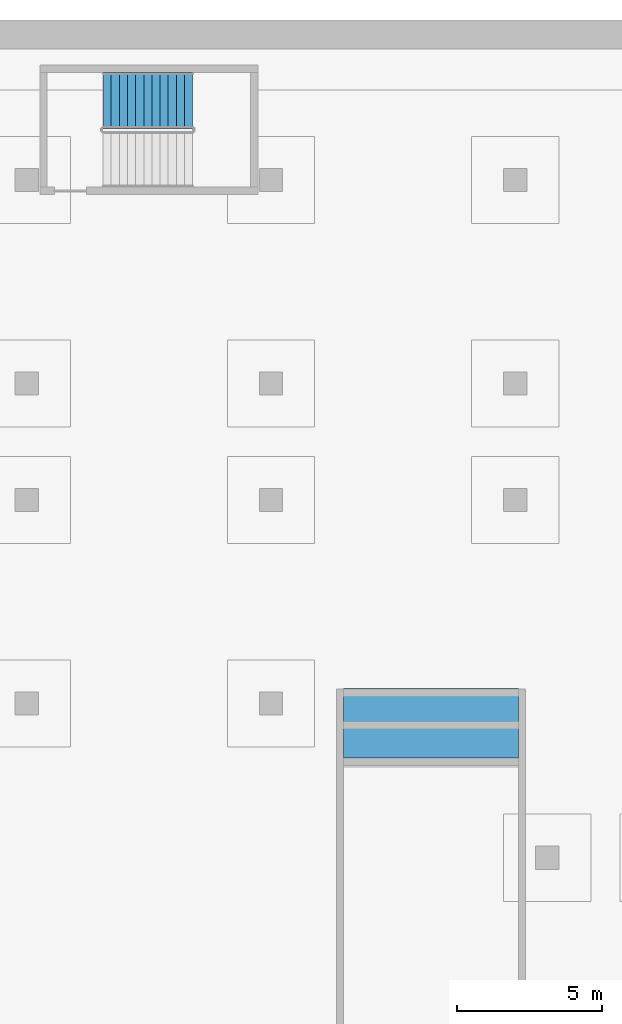
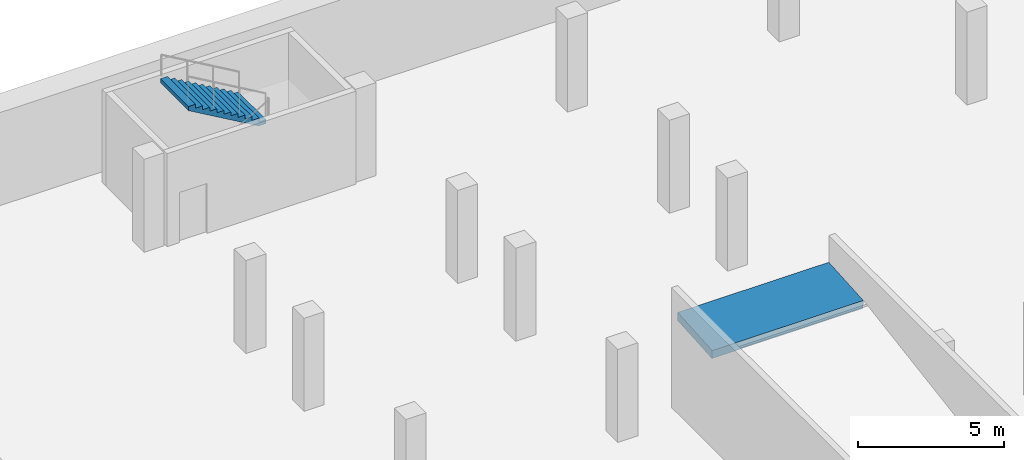
# One storey, part 19 of 27: 1 ramp flight, 1 stair flight, 2 elements without a shape of their own.
"""IFC4 building model written with IfcOpenShell, lengths in metres."""

import ifcopenshell
import ifcopenshell.guid

model = None  # the IFC model being written
_history = None  # IfcOwnerHistory: only IFC2X3 demands one
_inside = {}  # id of a spatial element -> (the spatial element, [elements in it])
_under = {}  # id of a project, library or spatial element -> (it, [spatial elements below it])
_declared = {}  # id of a project -> (the project, [libraries it declares])
_typed = {}  # id of a type object -> (the type object, [elements of that type])
_made_of = {}  # id of a material, layer set ... -> (it, [elements and type objects made of it])


def new_model(schema):
    """Start an empty IFC model of exactly this schema.

    Asked for "IFC4X3", IfcOpenShell would pick the latest addendum, in which some entities
    have other attributes; the version numbers below select the first issue.
    IFC2X3 requires an IfcOwnerHistory on every rooted entity: one is made here for all.
    """
    global model, _history
    if schema == "IFC4X3":
        model = ifcopenshell.file(schema_version=(4, 3, 0, 0))
    else:
        model = ifcopenshell.file(schema=schema)
    _inside.clear()
    _under.clear()
    _declared.clear()
    _typed.clear()
    _made_of.clear()
    _history = None
    if model.schema == "IFC2X3":
        org = make("IfcOrganization", Name="unknown")
        user = make(
            "IfcPersonAndOrganization",
            ThePerson=make("IfcPerson", FamilyName="unknown"),
            TheOrganization=org,
        )
        app = make(
            "IfcApplication",
            ApplicationDeveloper=org,
            Version="unknown",
            ApplicationFullName="unknown",
            ApplicationIdentifier="unknown",
        )
        _history = make(
            "IfcOwnerHistory",
            OwningUser=user,
            OwningApplication=app,
            ChangeAction="ADDED",
            CreationDate=0,
        )
    return model


def make(cls, **values):
    """One entity of the class cls with the attributes given. An attribute that is None is left unset."""
    return model.create_entity(
        cls, **{name: value for name, value in values.items() if value is not None}
    )


def rooted(cls, **values):
    """An entity with a GlobalId (a new one), such as an element, a storey or a relation."""
    return make(cls, GlobalId=ifcopenshell.guid.new(), OwnerHistory=_history, **values)


def si_unit(unit_type, name, prefix=None):
    """IfcSIUnit, for example si_unit("LENGTHUNIT", "METRE", prefix="MILLI")."""
    return make("IfcSIUnit", UnitType=unit_type, Prefix=prefix, Name=name)


def assignment(units):
    """IfcUnitAssignment: the units of a project."""
    return None if units is None else make("IfcUnitAssignment", Units=units)


def point(xyz):
    """IfcCartesianPoint."""
    return None if xyz is None else make("IfcCartesianPoint", Coordinates=xyz)


def direction(xyz):
    """IfcDirection."""
    return None if xyz is None else make("IfcDirection", DirectionRatios=xyz)


def frame(location, z_axis=None, x_axis=None):
    """IfcAxis2Placement3D, a coordinate frame: its origin and axes. An axis left out is left unset."""
    return make(
        "IfcAxis2Placement3D",
        Location=point(location),
        Axis=direction(z_axis),
        RefDirection=direction(x_axis),
    )


def origin():
    """The frame at (0, 0, 0) with its axes left unset."""
    return frame((0.0, 0.0, 0.0))


def place(relative_to, where):
    """IfcLocalPlacement: puts the frame where relative to a parent placement (None: the world)."""
    return make(
        "IfcLocalPlacement", PlacementRelTo=relative_to, RelativePlacement=where
    )


def context(
    kind, dimensions, precision=None, world=None, true_north=None, identifier=None
):
    """IfcGeometricRepresentationContext, for example the 3D "Model" context."""
    return make(
        "IfcGeometricRepresentationContext",
        ContextIdentifier=identifier,
        ContextType=kind,
        CoordinateSpaceDimension=dimensions,
        Precision=precision,
        WorldCoordinateSystem=world,
        TrueNorth=true_north,
    )


def subcontext(parent, identifier, kind, view, scale=None):
    """IfcGeometricRepresentationSubContext, for example "Body" below "Model"."""
    return make(
        "IfcGeometricRepresentationSubContext",
        ContextIdentifier=identifier,
        ContextType=kind,
        ParentContext=parent,
        TargetScale=scale,
        TargetView=view,
    )


def project(units=None, contexts=None):
    """IfcProject with its units and contexts."""
    return rooted(
        "IfcProject",
        Name="project",
        RepresentationContexts=contexts,
        UnitsInContext=assignment(units),
    )


def spatial(cls, under=None, at=None, **own):
    """A site, building, storey or space (cls), placed at a placement, below another one or the project."""
    s = rooted(cls, ObjectPlacement=at, **own)
    if under is not None:
        _under.setdefault(under.id(), (under, []))[1].append(s)
    return s


def point_list(points):
    """IfcCartesianPointList2D or 3D."""
    cls = (
        "IfcCartesianPointList2D" if len(points[0]) == 2 else "IfcCartesianPointList3D"
    )
    return make(cls, CoordList=points)


def triangles(points, corners, closed=None, point_numbers=None):
    """IfcTriangulatedFaceSet: each triangle names its three corners, points numbered from 1."""
    return make(
        "IfcTriangulatedFaceSet",
        Coordinates=point_list(points),
        Closed=closed,
        CoordIndex=corners,
        PnIndex=point_numbers,
    )


def shape(context_of_items, identifier, shape_type, items):
    """IfcShapeRepresentation: the items that make up one representation, for example the "Body"."""
    return make(
        "IfcShapeRepresentation",
        ContextOfItems=context_of_items,
        RepresentationIdentifier=identifier,
        RepresentationType=shape_type,
        Items=items,
    )


def material(Name=None, Category=None):
    """IfcMaterial."""
    return make("IfcMaterial", Name=Name, Category=Category)


def layer(
    of_material, thickness, ventilated=None, Name=None, Category=None, Priority=None
):
    """IfcMaterialLayer: one layer of a wall or slab, of a material (None: an air gap)."""
    return make(
        "IfcMaterialLayer",
        Material=of_material,
        LayerThickness=thickness,
        IsVentilated=ventilated,
        Name=Name,
        Category=Category,
        Priority=Priority,
    )


def layer_set(layers, Name=None):
    """IfcMaterialLayerSet."""
    return make("IfcMaterialLayerSet", MaterialLayers=layers, LayerSetName=Name)


def made_of(thing, what):
    """Note that an element or type object is made of a material, layer set ...; save() writes the relation."""
    if what is not None:
        _made_of.setdefault(what.id(), (what, []))[1].append(thing)
    return thing


def type_object(cls, material=None, **own):
    """A type object (cls), such as IfcWallType, which elements share."""
    return made_of(rooted(cls, **own), material)


def element(
    cls,
    number,
    at=None,
    inside=None,
    cuts=None,
    type_object=None,
    material=None,
    context=None,
    identifier="Body",
    shape_type=None,
    held_by="IfcProductDefinitionShape",
    body=None,
    shapes=None,
    **own,
):
    """One element of the class cls, such as IfcWall. Its Tag is "e" and its number.

    at: its placement. inside: the storey or other place that contains it. cuts: it is an
    opening in that element (IfcRelVoidsElement). A single representation is given by context,
    identifier, shape_type and body (its items); several are given by shapes. held_by: the class
    of the entity that holds the representations. save() writes the other relations.
    """
    e = rooted(cls, Tag="e%d" % number, ObjectPlacement=at, **own)
    if body is not None:
        shapes = [shape(context, identifier, shape_type, body)]
    if shapes is not None:
        e.Representation = make(held_by, Representations=shapes)
    if inside is not None:
        _inside.setdefault(inside.id(), (inside, []))[1].append(e)
    if cuts is not None:
        rooted(
            "IfcRelVoidsElement", RelatingBuildingElement=cuts, RelatedOpeningElement=e
        )
    if type_object is not None:
        _typed.setdefault(type_object.id(), (type_object, []))[1].append(e)
    return made_of(e, material)


def aggregate(whole, parts):
    """IfcRelAggregates: a whole, such as a stair, and the parts it consists of."""
    return rooted("IfcRelAggregates", RelatingObject=whole, RelatedObjects=parts)


def save(model, path):
    """Write the relations noted so far, then the file.

    IfcRelAggregates (storeys below a building ...), IfcRelContainedInSpatialStructure (elements
    in a storey), IfcRelDefinesByType, IfcRelAssociatesMaterial and IfcRelDeclares: one each for
    every whole, place, type object, material and project.
    """
    for whole, parts in _under.values():
        aggregate(whole, parts)
    for where, things in _inside.values():
        rooted(
            "IfcRelContainedInSpatialStructure",
            RelatedElements=things,
            RelatingStructure=where,
        )
    for kind, things in _typed.values():
        rooted("IfcRelDefinesByType", RelatedObjects=things, RelatingType=kind)
    for what, things in _made_of.values():
        rooted("IfcRelAssociatesMaterial", RelatedObjects=things, RelatingMaterial=what)
    for by, libraries in _declared.values():
        rooted("IfcRelDeclares", RelatingContext=by, RelatedDefinitions=libraries)
    model.write(path)


model = new_model("IFC4")

# Units and contexts
model_context = context("Model", 3, precision=1e-05, world=origin(), true_north=direction((0.0, 1.0)))
body_context = subcontext(model_context, "Body", "Model", "MODEL_VIEW")
ifc_project = project(units=[si_unit("LENGTHUNIT", "METRE"), si_unit("AREAUNIT", "SQUARE_METRE"), si_unit("VOLUMEUNIT", "CUBIC_METRE"), si_unit("PLANEANGLEUNIT", "RADIAN"), si_unit("MASSUNIT", "GRAM", prefix="KILO")], contexts=[model_context])

# Site, building, storey
site_placement = place(None, origin())
site = spatial("IfcSite", under=ifc_project, at=site_placement, CompositionType="ELEMENT")
building_placement = place(site_placement, origin())
building = spatial("IfcBuilding", under=site, at=building_placement, Name="Verdalira Terraces Hotel", CompositionType="ELEMENT")
storey_placement = place(building_placement, frame((0.0, 0.0, -11.699951)))
storey = spatial("IfcBuildingStorey", under=building, at=storey_placement, Name="B3", CompositionType="ELEMENT", Elevation=-11.699951171875)

# Stair, stair flight
ifc_material_1 = material(Name="Concrete C40", Category="concrete")
stair_type = type_object("IfcStairType", Name="Car park stair 24 risers", PredefinedType="HALF_TURN_STAIR", material=ifc_material_1)
stair_placement = place(storey_placement, origin())
stair = element("IfcStair", 1, at=stair_placement, inside=storey, type_object=stair_type, Name="B3 Exit stair Basement stair 3", PredefinedType="HALF_TURN_STAIR")
ifc_material_2 = material(Name="Concrete C40", Category="concrete")
stair_flight_type = type_object("IfcStairFlightType", Name="Car park stair flight 24 risers", PredefinedType="STRAIGHT", material=ifc_material_2)
stair_flight_placement = place(storey_placement, frame((25.304932, 51.237549, 1.949951), z_axis=(0.0, 0.0, 1.0), x_axis=(-1.0, 0.0, 0.0)))
stair_flight = element("IfcStairFlight", 2, at=stair_flight_placement, type_object=stair_flight_type, Name="Basement stair 3 flight 2", NumberOfRisers=12, NumberOfTreads=11, PredefinedType="STRAIGHT", RiserHeight=0.1625, TreadLength=0.28, context=body_context, shape_type="Tessellation", body=[
    triangles([(0.0, 0.962524, 0.0), (0.298584, 0.962524, 0.0), (3.080078, 0.962524, 1.614258), (0.0, -0.962524, 0.0), (0.298584, -0.962524, 0.0), (3.080078, -0.962524, 1.614258), (3.080078, 0.962524, 1.787598), (2.800049, 0.962524, 1.787598), (3.080078, -0.962524, 1.787598), (2.800049, -0.962524, 1.787598), (2.800049, 0.962524, 1.625), (2.800049, -0.962524, 1.625), (2.52002, 0.962524, 1.625), (2.52002, -0.962524, 1.625), (2.52002, 0.962524, 1.462402), (2.52002, -0.962524, 1.462402), (2.23999, 0.962524, 1.462402), (2.23999, 0.962524, 1.300049), (2.23999, -0.962524, 1.462402), (2.23999, -0.962524, 1.300049), (1.959961, 0.962524, 1.300049), (1.959961, 0.962524, 1.137451), (1.959961, -0.962524, 1.300049), (1.959961, -0.962524, 1.137451), (1.679932, 0.962524, 1.137451), (1.679932, 0.962524, 0.975098), (1.679932, -0.962524, 1.137451), (1.679932, -0.962524, 0.975098), (1.399902, 0.962524, 0.975098), (1.399902, 0.962524, 0.8125), (1.399902, -0.962524, 0.975098), (1.399902, -0.962524, 0.8125), (1.120117, 0.962524, 0.8125), (1.120117, 0.962524, 0.649902), (1.120117, -0.962524, 0.8125), (1.120117, -0.962524, 0.649902), (0.840088, 0.962524, 0.649902), (0.840088, 0.962524, 0.487549), (0.840088, -0.962524, 0.649902), (0.840088, -0.962524, 0.487549), (0.560059, 0.962524, 0.487549), (0.560059, 0.962524, 0.324951), (0.560059, -0.962524, 0.487549), (0.560059, -0.962524, 0.324951), (0.280029, 0.962524, 0.324951), (0.280029, 0.962524, 0.162598), (0.280029, -0.962524, 0.324951), (0.280029, -0.962524, 0.162598), (0.0, 0.962524, 0.162598), (0.0, -0.962524, 0.162598), (0.0, -0.902367, 0.0), (0.0, -0.902367, 0.162598), (0.0, -0.842209, 0.0), (0.0, -0.842209, 0.162598), (0.0, -0.782051, 0.0), (0.0, -0.782051, 0.162598), (0.0, -0.721893, 0.0), (0.0, -0.721893, 0.162598), (0.0, -0.661736, 0.0), (0.0, -0.661736, 0.162598), (0.0, -0.601578, 0.0), (0.0, -0.601578, 0.162598), (0.0, -0.54142, 0.0), (0.0, -0.54142, 0.162598), (0.0, -0.481262, 0.0), (0.0, -0.481262, 0.162598), (0.0, -0.421104, 0.0), (0.0, -0.421104, 0.162598), (0.0, -0.360947, 0.0), (0.0, -0.360947, 0.162598), (0.0, -0.300789, 0.0), (0.0, -0.300789, 0.162598), (0.0, -0.240631, 0.0), (0.0, -0.240631, 0.162598), (0.0, -0.180473, 0.0), (0.0, -0.180473, 0.162598), (0.0, -0.120316, 0.0), (0.0, -0.120316, 0.162598), (0.0, -0.060158, 0.0), (0.0, -0.060158, 0.162598), (0.0, 0.0, 0.0), (0.0, 0.0, 0.162598), (0.0, 0.060158, 0.0), (0.0, 0.060158, 0.162598), (0.0, 0.120316, 0.0), (0.0, 0.120316, 0.162598), (0.0, 0.180473, 0.0), (0.0, 0.180473, 0.162598), (0.0, 0.240631, 0.0), (0.0, 0.240631, 0.162598), (0.0, 0.300789, 0.0), (0.0, 0.300789, 0.162598), (0.0, 0.360947, 0.0), (0.0, 0.360947, 0.162598), (0.0, 0.421104, 0.0), (0.0, 0.421104, 0.162598), (0.0, 0.481262, 0.0), (0.0, 0.481262, 0.162598), (0.0, 0.54142, 0.0), (0.0, 0.54142, 0.162598), (0.0, 0.601578, 0.0), (0.0, 0.601578, 0.162598), (0.0, 0.661736, 0.0), (0.0, 0.661736, 0.162598), (0.0, 0.721893, 0.0), (0.0, 0.721893, 0.162598), (0.0, 0.782051, 0.0), (0.0, 0.782051, 0.162598), (0.0, 0.842209, 0.0), (0.0, 0.842209, 0.162598), (0.0, 0.902367, 0.0), (0.0, 0.902367, 0.162598), (3.080078, -0.902367, 1.787598), (3.080078, -0.842209, 1.787598), (3.080078, -0.782051, 1.787598), (3.080078, -0.721893, 1.787598), (3.080078, -0.661736, 1.787598), (3.080078, -0.601578, 1.787598), (3.080078, -0.54142, 1.787598), (3.080078, -0.481262, 1.787598), (3.080078, -0.421104, 1.787598), (3.080078, -0.360947, 1.787598), (3.080078, -0.300789, 1.787598), (3.080078, -0.240631, 1.787598), (3.080078, -0.180473, 1.787598), (3.080078, -0.120316, 1.787598), (3.080078, -0.060158, 1.787598), (3.080078, 0.0, 1.787598), (3.080078, 0.060158, 1.787598), (3.080078, 0.120316, 1.787598), (3.080078, 0.180473, 1.787598), (3.080078, 0.240631, 1.787598), (3.080078, 0.300789, 1.787598), (3.080078, 0.360947, 1.787598), (3.080078, 0.421104, 1.787598), (3.080078, 0.481262, 1.787598), (3.080078, 0.54142, 1.787598), (3.080078, 0.601578, 1.787598), (3.080078, 0.661736, 1.787598), (3.080078, 0.721893, 1.787598), (3.080078, 0.782051, 1.787598), (3.080078, 0.842209, 1.787598), (3.080078, 0.902367, 1.787598), (3.080078, -0.902367, 1.614258), (3.080078, -0.842209, 1.614258), (3.080078, -0.782051, 1.614258), (3.080078, -0.721893, 1.614258), (3.080078, -0.661736, 1.614258), (3.080078, -0.601578, 1.614258), (3.080078, -0.54142, 1.614258), (3.080078, -0.481262, 1.614258), (3.080078, -0.421104, 1.614258), (3.080078, -0.360947, 1.614258), (3.080078, -0.300789, 1.614258), (3.080078, -0.240631, 1.614258), (3.080078, -0.180473, 1.614258), (3.080078, -0.120316, 1.614258), (3.080078, -0.060158, 1.614258), (3.080078, 0.0, 1.614258), (3.080078, 0.060158, 1.614258), (3.080078, 0.120316, 1.614258), (3.080078, 0.180473, 1.614258), (3.080078, 0.240631, 1.614258), (3.080078, 0.300789, 1.614258), (3.080078, 0.360947, 1.614258), (3.080078, 0.421104, 1.614258), (3.080078, 0.481262, 1.614258), (3.080078, 0.54142, 1.614258), (3.080078, 0.601578, 1.614258), (3.080078, 0.661736, 1.614258), (3.080078, 0.721893, 1.614258), (3.080078, 0.782051, 1.614258), (3.080078, 0.842209, 1.614258), (3.080078, 0.902367, 1.614258)], [[1, 3, 2], [4, 5, 6], [3, 8, 7], [6, 9, 10], [3, 11, 8], [6, 10, 12], [3, 13, 11], [6, 12, 14], [3, 15, 13], [6, 14, 16], [15, 18, 17], [16, 19, 20], [3, 18, 15], [6, 16, 20], [18, 22, 21], [20, 23, 24], [3, 22, 18], [6, 20, 24], [22, 26, 25], [24, 27, 28], [3, 26, 22], [6, 24, 28], [26, 30, 29], [28, 31, 32], [3, 30, 26], [6, 28, 32], [30, 34, 33], [32, 35, 36], [3, 34, 30], [6, 32, 36], [34, 38, 37], [36, 39, 40], [3, 38, 34], [6, 36, 40], [38, 42, 41], [40, 43, 44], [3, 42, 38], [6, 40, 44], [1, 42, 3], [4, 6, 44], [42, 46, 45], [44, 47, 48], [1, 46, 42], [4, 44, 48], [46, 1, 49], [48, 50, 4], [4, 52, 51], [4, 50, 52], [51, 54, 53], [51, 52, 54], [53, 56, 55], [53, 54, 56], [55, 58, 57], [55, 56, 58], [57, 60, 59], [57, 58, 60], [59, 62, 61], [59, 60, 62], [61, 64, 63], [61, 62, 64], [63, 66, 65], [63, 64, 66], [65, 68, 67], [65, 66, 68], [67, 70, 69], [67, 68, 70], [69, 72, 71], [69, 70, 72], [71, 74, 73], [71, 72, 74], [73, 76, 75], [73, 74, 76], [75, 78, 77], [75, 76, 78], [77, 80, 79], [77, 78, 80], [79, 82, 81], [79, 80, 82], [81, 84, 83], [81, 82, 84], [83, 86, 85], [83, 84, 86], [85, 88, 87], [85, 86, 88], [87, 90, 89], [87, 88, 90], [89, 92, 91], [89, 90, 92], [91, 94, 93], [91, 92, 94], [93, 96, 95], [93, 94, 96], [95, 98, 97], [95, 96, 98], [97, 100, 99], [97, 98, 100], [99, 102, 101], [99, 100, 102], [101, 104, 103], [101, 102, 104], [103, 106, 105], [103, 104, 106], [105, 108, 107], [105, 106, 108], [107, 110, 109], [107, 108, 110], [109, 112, 111], [109, 110, 112], [111, 49, 1], [111, 112, 49], [50, 48, 52], [52, 48, 54], [54, 48, 56], [56, 48, 58], [58, 48, 60], [60, 48, 62], [62, 48, 64], [64, 48, 66], [66, 48, 68], [68, 48, 70], [70, 48, 72], [72, 48, 74], [74, 48, 76], [76, 48, 78], [78, 48, 80], [80, 48, 82], [82, 48, 84], [84, 48, 86], [86, 48, 88], [88, 48, 90], [90, 48, 92], [92, 48, 94], [94, 48, 96], [96, 48, 98], [98, 48, 100], [100, 48, 102], [102, 48, 104], [104, 48, 106], [106, 48, 108], [108, 48, 110], [110, 48, 112], [112, 48, 49], [49, 48, 46], [48, 45, 46], [48, 47, 45], [47, 42, 45], [47, 44, 42], [44, 41, 42], [44, 43, 41], [43, 38, 41], [43, 40, 38], [40, 37, 38], [40, 39, 37], [39, 34, 37], [39, 36, 34], [36, 33, 34], [36, 35, 33], [35, 30, 33], [35, 32, 30], [32, 29, 30], [32, 31, 29], [31, 26, 29], [31, 28, 26], [28, 25, 26], [28, 27, 25], [27, 22, 25], [27, 24, 22], [24, 21, 22], [24, 23, 21], [23, 18, 21], [23, 20, 18], [20, 17, 18], [20, 19, 17], [19, 15, 17], [19, 16, 15], [16, 13, 15], [16, 14, 13], [14, 11, 13], [14, 12, 11], [12, 8, 11], [12, 10, 8], [9, 113, 10], [113, 114, 10], [114, 115, 10], [115, 116, 10], [116, 117, 10], [117, 118, 10], [118, 119, 10], [119, 120, 10], [120, 121, 10], [121, 122, 10], [122, 123, 10], [123, 124, 10], [124, 125, 10], [125, 126, 10], [126, 127, 10], [127, 128, 10], [128, 129, 10], [129, 130, 10], [130, 131, 10], [131, 132, 10], [132, 133, 10], [133, 134, 10], [134, 135, 10], [135, 136, 10], [136, 137, 10], [137, 138, 10], [138, 139, 10], [139, 140, 10], [140, 141, 10], [141, 142, 10], [142, 143, 10], [143, 7, 10], [7, 8, 10], [9, 144, 113], [9, 6, 144], [113, 145, 114], [113, 144, 145], [114, 146, 115], [114, 145, 146], [115, 147, 116], [115, 146, 147], [116, 148, 117], [116, 147, 148], [117, 149, 118], [117, 148, 149], [118, 150, 119], [118, 149, 150], [119, 151, 120], [119, 150, 151], [120, 152, 121], [120, 151, 152], [121, 153, 122], [121, 152, 153], [122, 154, 123], [122, 153, 154], [123, 155, 124], [123, 154, 155], [124, 156, 125], [124, 155, 156], [125, 157, 126], [125, 156, 157], [126, 158, 127], [126, 157, 158], [127, 159, 128], [127, 158, 159], [128, 160, 129], [128, 159, 160], [129, 161, 130], [129, 160, 161], [130, 162, 131], [130, 161, 162], [131, 163, 132], [131, 162, 163], [132, 164, 133], [132, 163, 164], [133, 165, 134], [133, 164, 165], [134, 166, 135], [134, 165, 166], [135, 167, 136], [135, 166, 167], [136, 168, 137], [136, 167, 168], [137, 169, 138], [137, 168, 169], [138, 170, 139], [138, 169, 170], [139, 171, 140], [139, 170, 171], [140, 172, 141], [140, 171, 172], [141, 173, 142], [141, 172, 173], [142, 174, 143], [142, 173, 174], [143, 3, 7], [143, 174, 3], [6, 5, 144], [144, 5, 145], [145, 5, 146], [146, 5, 147], [147, 5, 148], [148, 5, 149], [149, 5, 150], [150, 5, 151], [151, 5, 152], [152, 5, 153], [153, 5, 154], [154, 5, 155], [155, 5, 156], [156, 5, 157], [157, 5, 158], [158, 5, 159], [159, 5, 160], [160, 5, 161], [161, 5, 162], [162, 5, 163], [163, 5, 164], [164, 5, 165], [165, 5, 166], [166, 5, 167], [167, 5, 168], [168, 5, 169], [169, 5, 170], [170, 5, 171], [171, 5, 172], [172, 5, 173], [173, 5, 174], [174, 5, 3], [3, 5, 2], [4, 51, 5], [51, 53, 5], [53, 55, 5], [55, 57, 5], [57, 59, 5], [59, 61, 5], [61, 63, 5], [63, 65, 5], [65, 67, 5], [67, 69, 5], [69, 71, 5], [71, 73, 5], [73, 75, 5], [75, 77, 5], [77, 79, 5], [79, 81, 5], [81, 83, 5], [83, 85, 5], [85, 87, 5], [87, 89, 5], [89, 91, 5], [91, 93, 5], [93, 95, 5], [95, 97, 5], [97, 99, 5], [99, 101, 5], [101, 103, 5], [103, 105, 5], [105, 107, 5], [107, 109, 5], [109, 111, 5], [111, 1, 5], [1, 2, 5]], closed=True),
])
aggregate(stair, [stair_flight])

# Ramp, ramp flight
ifc_material_3 = material(Name="Concrete C40", Category="concrete")
ifc_layer_1 = layer(ifc_material_3, 0.35009765625)
ifc_layer_set_1 = layer_set([ifc_layer_1], Name="Ramp 350 C40")
ramp_type = type_object("IfcRampType", Name="Ramp 350 C40", PredefinedType="STRAIGHT_RUN_RAMP", material=ifc_layer_set_1)
ramp_placement = place(storey_placement, origin())
ramp = element("IfcRamp", 3, at=ramp_placement, inside=storey, type_object=ramp_type, Name="Ramp from B2 to B3", PredefinedType="STRAIGHT_RUN_RAMP")
ifc_material_4 = material(Name="Concrete C40", Category="concrete")
ifc_layer_2 = layer(ifc_material_4, 0.35009765625)
ifc_layer_set_2 = layer_set([ifc_layer_2], Name="Ramp flight 350 C40")
ramp_flight_type = type_object("IfcRampFlightType", Name="Ramp flight 350 C40", PredefinedType="STRAIGHT", material=ifc_layer_set_2)
ramp_flight_placement = place(storey_placement, frame((30.5, 31.0, 3.899902), z_axis=(0.0, -0.06983321, 0.997558681), x_axis=(1.0, 0.0, 0.0)))
ramp_flight = element("IfcRampFlight", 4, at=ramp_flight_placement, type_object=ramp_flight_type, Name="Ramp from B2 to B3 flight 1", PredefinedType="STRAIGHT", context=body_context, shape_type="Tessellation", body=[
    triangles([(3.0, -1.190406, 0.0), (0.0, 0.0, 0.0), (6.0, 0.0, 0.0), (6.0, -2.380812, 0.0), (0.0, -2.380812, 0.0), (3.0, -1.190406, -0.35), (0.0, 0.0, -0.35), (6.0, 0.0, -0.35), (6.0, -2.380812, -0.35), (0.0, -2.380812, -0.35), (3.0, 0.0, -0.175), (6.0, -1.190406, -0.175), (3.0, -2.380812, -0.175), (0.0, -1.190406, -0.175)], [[3, 2, 1], [4, 3, 1], [5, 4, 1], [2, 5, 1], [7, 8, 6], [8, 9, 6], [9, 10, 6], [10, 7, 6], [2, 3, 11], [3, 8, 11], [8, 7, 11], [7, 2, 11], [3, 4, 12], [4, 9, 12], [9, 8, 12], [8, 3, 12], [4, 5, 13], [5, 10, 13], [10, 9, 13], [9, 4, 13], [5, 2, 14], [2, 7, 14], [7, 10, 14], [10, 5, 14]], closed=True),
])
aggregate(ramp, [ramp_flight])

save(model, "model.ifc")
